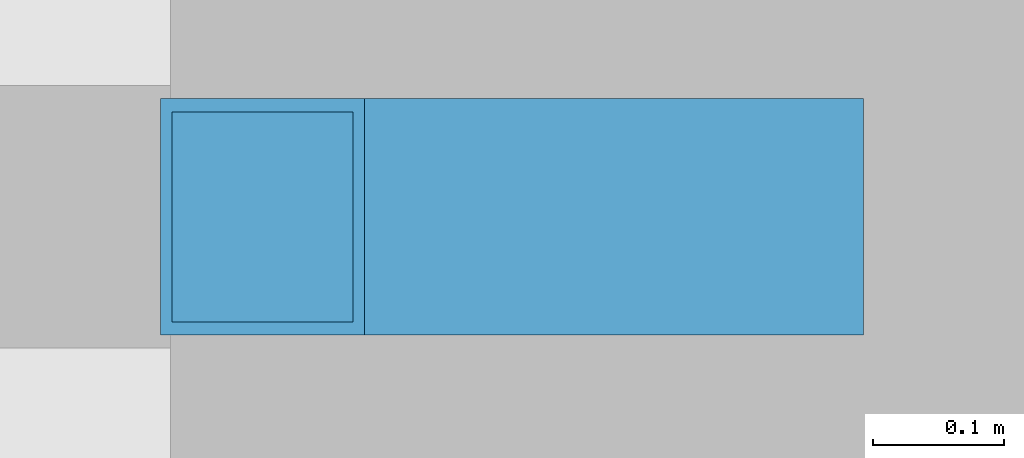
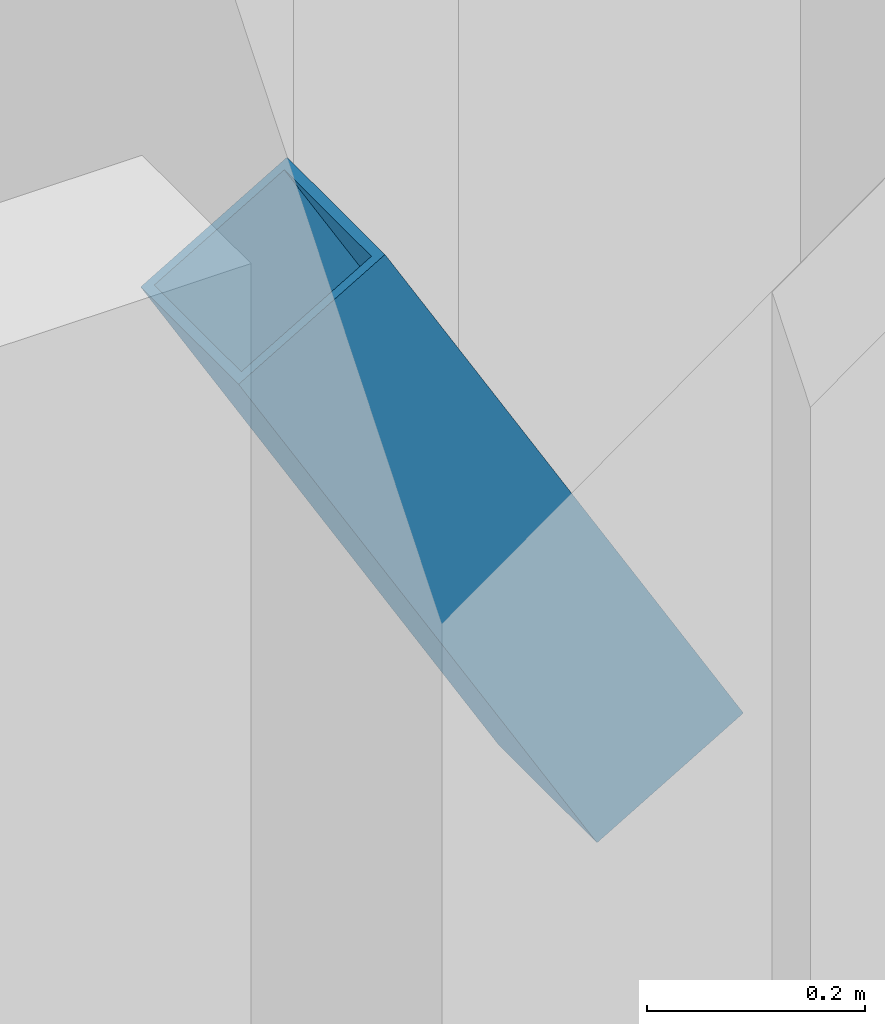
# One storey, part 64 of 123: 1 member.
"""IFC4 building model written with IfcOpenShell, lengths in metres."""

from ifc_helpers import new_model, si_unit, direction, frame, origin, origin_2d, place, context, subcontext, project, spatial, hollow_rectangle, extrude, material, material_profile, profile_set, type_object, element, save


model = new_model("IFC4")

# Units and contexts
model_context = context("Model", 3, precision=1e-05, world=origin(), true_north=direction((0.0, 1.0)))
body_context = subcontext(model_context, "Body", "Model", "MODEL_VIEW")
ifc_project = project(units=[si_unit("LENGTHUNIT", "METRE"), si_unit("AREAUNIT", "SQUARE_METRE"), si_unit("VOLUMEUNIT", "CUBIC_METRE"), si_unit("PLANEANGLEUNIT", "RADIAN"), si_unit("MASSUNIT", "GRAM", prefix="KILO")], contexts=[model_context])

# Site, building, storey
site_placement = place(None, origin())
site = spatial("IfcSite", under=ifc_project, at=site_placement, CompositionType="ELEMENT")
building_placement = place(site_placement, origin())
building = spatial("IfcBuilding", under=site, at=building_placement, Name="Tenunan Teduh Sports Hall", CompositionType="ELEMENT")
storey_placement = place(building_placement, origin())
storey = spatial("IfcBuildingStorey", under=building, at=storey_placement, Name="L00", CompositionType="ELEMENT", Elevation=0.0)

# Member
ifc_material = material(Name="Steel S355", Category="steel")
ifc_material_profile = material_profile(ifc_material, hollow_rectangle(XDim=0.179931640625, YDim=0.179931640625, WallThickness=0.010009765625, at=origin_2d()), Name="SHS 180x180x10.0")
ifc_profile_set = profile_set([ifc_material_profile], Name="Steel S355")
member_type = type_object("IfcMemberType", Name="MEM-ST-SHS180", PredefinedType="STRUT", material=ifc_profile_set)
member_placement = place(storey_placement, frame((170.0, 38.0, 3.800048828125), z_axis=(-0.506479477723, 0.0, 0.862252015738), x_axis=(0.0, -1.0, 0.0)))
element("IfcMember", 1, at=member_placement, inside=storey, type_object=member_type, Name="MEM-VS-03-L00-1290", PredefinedType="STRUT", context=body_context, shape_type="SweptSolid", body=[
    extrude(hollow_rectangle(XDim=0.179931640625, YDim=0.179931640625, WallThickness=0.010009765625, at=origin_2d()), origin(), (0.0, 0.0, 1.0), 0.75),
])

save(model, "model.ifc")
